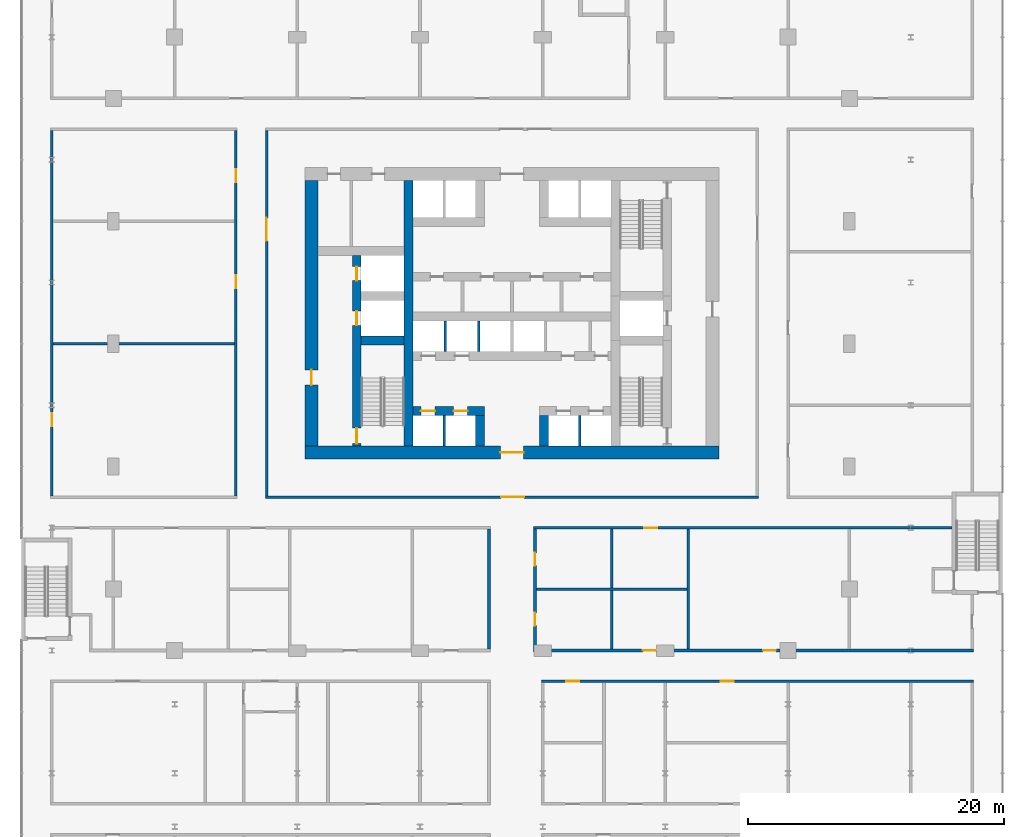
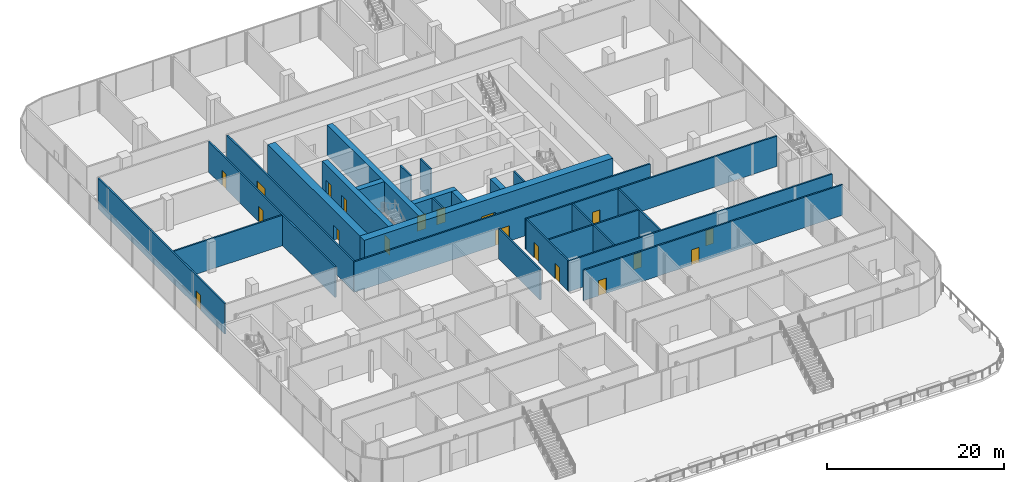
# One storey, part 31 of 43: 26 walls, 19 doors, 19 openings.
"""IFC4 building model written with IfcOpenShell, lengths in metres."""

from ifc_helpers import new_model, si_unit, direction, frame, frame_2d, origin, place, context, subcontext, project, spatial, rectangle, extrude, material, layer, layer_set, type_object, element, fill, save


model = new_model("IFC4")

# Units and contexts
model_context = context("Model", 3, precision=1e-05, world=origin(), true_north=direction((0.0, 1.0)))
body_context = subcontext(model_context, "Body", "Model", "MODEL_VIEW")
ifc_project = project(units=[si_unit("LENGTHUNIT", "METRE"), si_unit("AREAUNIT", "SQUARE_METRE"), si_unit("VOLUMEUNIT", "CUBIC_METRE"), si_unit("PLANEANGLEUNIT", "RADIAN"), si_unit("MASSUNIT", "GRAM", prefix="KILO")], contexts=[model_context])

# Site, building, storey
site_placement = place(None, origin())
site = spatial("IfcSite", under=ifc_project, at=site_placement, CompositionType="ELEMENT")
building_placement = place(site_placement, origin())
building = spatial("IfcBuilding", under=site, at=building_placement, Name="Madar Terraces", CompositionType="ELEMENT")
storey_placement = place(building_placement, frame((0.0, 0.0, 10.5)))
storey = spatial("IfcBuildingStorey", under=building, at=storey_placement, Name="L02", CompositionType="ELEMENT", Elevation=10.5)

# Wall, openings, doors
ifc_material_1 = material(Name="Concrete C80/95", Category="concrete")
ifc_layer_1 = layer(ifc_material_1, 0.699951171875)
ifc_layer_set_1 = layer_set([ifc_layer_1], Name="Concrete C80/95 (CIW1 RC wall 700)")
wall_type_1 = type_object("IfcWallType", Name="CIW1 RC wall 700", PredefinedType="SHEAR", material=ifc_layer_set_1)
wall_1_placement = place(storey_placement, frame((19.050048828125, 16.0, 0.0), z_axis=(0.0, 0.0, 1.0), x_axis=(0.0, 1.0, 0.0)))
wall_1 = element("IfcWall", 1, at=wall_1_placement, inside=storey, type_object=wall_type_1, Name="CORE SHAFT WALL", PredefinedType="SHEAR", context=body_context, shape_type="SweptSolid", body=[
    extrude(rectangle(XDim=14.89990234375, YDim=0.699951171875, at=frame_2d((7.449951171875, 0.0))), origin(), (0.0, 0.0, 1.0), 4.199951171875),
])
opening_1_placement = place(wall_1_placement, frame((9.449951171875, 0.0, 0.0)))
opening_1 = element("IfcOpeningElement", 2, at=opening_1_placement, cuts=wall_1, Name="Opening LD", PredefinedType="OPENING", context=body_context, shape_type="SweptSolid", body=[
    extrude(rectangle(XDim=1.10009765625, YDim=2.10009765625, at=frame_2d((0.550048828125, 1.050048828125))), frame((0.0, 0.35986328125, 0.0), z_axis=(0.0, -1.0, 0.0), x_axis=(1.0, 0.0, 0.0)), (0.0, 0.0, 1.0), 0.719970703125),
])
opening_2_placement = place(wall_1_placement, frame((12.949951171875, 0.0, 0.0)))
opening_2 = element("IfcOpeningElement", 3, at=opening_2_placement, cuts=wall_1, Name="Opening LD", PredefinedType="OPENING", context=body_context, shape_type="SweptSolid", body=[
    extrude(rectangle(XDim=1.10009765625, YDim=2.10009765625, at=frame_2d((0.550048828125, 1.050048828125))), frame((0.0, 0.35986328125, 0.0), z_axis=(0.0, -1.0, 0.0), x_axis=(1.0, 0.0, 0.0)), (0.0, 0.0, 1.0), 0.719970703125),
])
opening_3_placement = place(wall_1_placement, frame((0.199951171875, 0.0, 0.0)))
opening_3 = element("IfcOpeningElement", 4, at=opening_3_placement, cuts=wall_1, Name="Opening SD1", PredefinedType="OPENING", context=body_context, shape_type="SweptSolid", body=[
    extrude(rectangle(XDim=1.199951171875, YDim=2.10009765625, at=frame_2d((0.60009765625, 1.050048828125))), frame((0.0, 0.35986328125, 0.0), z_axis=(0.0, -1.0, 0.0), x_axis=(1.0, 0.0, 0.0)), (0.0, 0.0, 1.0), 0.719970703125),
])
ifc_material_2 = material(Name="Stainless steel panel", Category="steel")
door_type_1 = type_object("IfcDoorType", Name="Lift landing door 1100 x 2100", OperationType="DOUBLE_DOOR_SLIDING", PredefinedType="DOOR", material=ifc_material_2)
door_1_placement = place(opening_1_placement, origin())
door_1 = element("IfcDoor", 5, at=door_1_placement, inside=storey, type_object=door_type_1, Name="LIFT LANDING DOOR", OperationType="DOUBLE_DOOR_SLIDING", OverallHeight=2.10009765625, OverallWidth=1.10009765625, PredefinedType="DOOR", context=body_context, shape_type="SweptSolid", body=[
    extrude(rectangle(XDim=1.10009765625, YDim=2.10009765625, at=frame_2d((0.550048828125, 1.050048828125))), frame((0.0, 0.02490234375, 0.0), z_axis=(0.0, -1.0, 0.0), x_axis=(1.0, 0.0, 0.0)), (0.0, 0.0, 1.0), 0.050048828125),
])
fill(opening_1, door_1)
door_2_placement = place(opening_2_placement, origin())
door_2 = element("IfcDoor", 6, at=door_2_placement, inside=storey, type_object=door_type_1, Name="LIFT LANDING DOOR", OperationType="DOUBLE_DOOR_SLIDING", OverallHeight=2.10009765625, OverallWidth=1.10009765625, PredefinedType="DOOR", context=body_context, shape_type="SweptSolid", body=[
    extrude(rectangle(XDim=1.10009765625, YDim=2.10009765625, at=frame_2d((0.550048828125, 1.050048828125))), frame((0.0, 0.02490234375, 0.0), z_axis=(0.0, -1.0, 0.0), x_axis=(1.0, 0.0, 0.0)), (0.0, 0.0, 1.0), 0.050048828125),
])
fill(opening_2, door_2)
ifc_material_3 = material(Name="Steel door leaf", Category="steel")
door_type_2 = type_object("IfcDoorType", Name="Stair door 1200 x 2100", OperationType="NOTDEFINED", PredefinedType="DOOR", material=ifc_material_3)
door_3_placement = place(opening_3_placement, frame((1.199951171875, 0.0, 0.0), z_axis=(0.0, 0.0, 1.0), x_axis=(-1.0, 0.0, 0.0)))
door_3 = element("IfcDoor", 7, at=door_3_placement, inside=storey, type_object=door_type_2, Name="STAIR DOOR", OperationType="SINGLE_SWING_RIGHT", OverallHeight=2.10009765625, OverallWidth=1.199951171875, PredefinedType="DOOR", context=body_context, shape_type="SweptSolid", body=[
    extrude(rectangle(XDim=1.199951171875, YDim=2.10009765625, at=frame_2d((0.60009765625, 1.050048828125))), frame((0.0, 0.02490234375, 0.0), z_axis=(0.0, -1.0, 0.0), x_axis=(1.0, 0.0, 0.0)), (0.0, 0.0, 1.0), 0.050048828125),
])
fill(opening_3, door_3)

# Walls
wall_2_placement = place(storey_placement, frame((23.10009765625, 16.0, 0.0), z_axis=(0.0, 0.0, 1.0), x_axis=(0.0, 1.0, 0.0)))
element("IfcWall", 8, at=wall_2_placement, inside=storey, type_object=wall_type_1, Name="CORE SHAFT WALL", PredefinedType="SHEAR", context=body_context, shape_type="SweptSolid", body=[
    extrude(rectangle(XDim=20.800048828125, YDim=0.699951171875, at=frame_2d((10.39990234375, 0.0))), origin(), (0.0, 0.0, 1.0), 4.199951171875),
])
wall_3_placement = place(storey_placement, frame((19.39990234375, 24.25, 0.0), z_axis=(0.0, 0.0, 1.0), x_axis=(1.0, 0.0, 0.0)))
element("IfcWall", 9, at=wall_3_placement, inside=storey, type_object=wall_type_1, Name="CORE SHAFT WALL", PredefinedType="SHEAR", context=body_context, shape_type="SweptSolid", body=[
    extrude(rectangle(XDim=3.35009765625, YDim=0.699951171875, at=frame_2d((1.675048828125, 0.0))), origin(), (0.0, 0.0, 1.0), 4.199951171875),
])

# Wall, openings, doors
wall_4_placement = place(storey_placement, frame((23.449951171875, 18.75, 0.0), z_axis=(0.0, 0.0, 1.0), x_axis=(1.0, 0.0, 0.0)))
wall_4 = element("IfcWall", 10, at=wall_4_placement, inside=storey, type_object=wall_type_1, Name="CORE SHAFT WALL", PredefinedType="SHEAR", context=body_context, shape_type="SweptSolid", body=[
    extrude(rectangle(XDim=5.60009765625, YDim=0.699951171875, at=frame_2d((2.800048828125, 0.0))), origin(), (0.0, 0.0, 1.0), 4.199951171875),
])
opening_4_placement = place(wall_4_placement, frame((0.625, 0.0, 0.0)))
opening_4 = element("IfcOpeningElement", 11, at=opening_4_placement, cuts=wall_4, Name="Opening LD", PredefinedType="OPENING", context=body_context, shape_type="SweptSolid", body=[
    extrude(rectangle(XDim=1.10009765625, YDim=2.10009765625, at=frame_2d((0.550048828125, 1.050048828125))), frame((0.0, 0.35986328125, 0.0), z_axis=(0.0, -1.0, 0.0), x_axis=(1.0, 0.0, 0.0)), (0.0, 0.0, 1.0), 0.719970703125),
])
opening_5_placement = place(wall_4_placement, frame((3.175048828125, 0.0, 0.0)))
opening_5 = element("IfcOpeningElement", 12, at=opening_5_placement, cuts=wall_4, Name="Opening LD", PredefinedType="OPENING", context=body_context, shape_type="SweptSolid", body=[
    extrude(rectangle(XDim=1.10009765625, YDim=2.10009765625, at=frame_2d((0.550048828125, 1.050048828125))), frame((0.0, 0.35986328125, 0.0), z_axis=(0.0, -1.0, 0.0), x_axis=(1.0, 0.0, 0.0)), (0.0, 0.0, 1.0), 0.719970703125),
])
door_4_placement = place(opening_4_placement, origin())
door_4 = element("IfcDoor", 13, at=door_4_placement, inside=storey, type_object=door_type_1, Name="LIFT LANDING DOOR", OperationType="DOUBLE_DOOR_SLIDING", OverallHeight=2.10009765625, OverallWidth=1.10009765625, PredefinedType="DOOR", context=body_context, shape_type="SweptSolid", body=[
    extrude(rectangle(XDim=1.10009765625, YDim=2.10009765625, at=frame_2d((0.550048828125, 1.050048828125))), frame((0.0, 0.02490234375, 0.0), z_axis=(0.0, -1.0, 0.0), x_axis=(1.0, 0.0, 0.0)), (0.0, 0.0, 1.0), 0.050048828125),
])
fill(opening_4, door_4)
door_5_placement = place(opening_5_placement, origin())
door_5 = element("IfcDoor", 14, at=door_5_placement, inside=storey, type_object=door_type_1, Name="LIFT LANDING DOOR", OperationType="DOUBLE_DOOR_SLIDING", OverallHeight=2.10009765625, OverallWidth=1.10009765625, PredefinedType="DOOR", context=body_context, shape_type="SweptSolid", body=[
    extrude(rectangle(XDim=1.10009765625, YDim=2.10009765625, at=frame_2d((0.550048828125, 1.050048828125))), frame((0.0, 0.02490234375, 0.0), z_axis=(0.0, -1.0, 0.0), x_axis=(1.0, 0.0, 0.0)), (0.0, 0.0, 1.0), 0.050048828125),
])
fill(opening_5, door_5)

# Walls
for number, where, z_axis, x_axis, name in (
    (15, (28.699951171875, 16.0, 0.0), (0.0, 0.0, 1.0), (0.0, 1.0, 0.0), "CORE SHAFT WALL"),
    (16, (33.699951171875, 16.0, 0.0), (0.0, 0.0, 1.0), (0.0, 1.0, 0.0), "CORE SHAFT WALL"),
):
    element("IfcWall", number, at=place(storey_placement, frame(where, z_axis=z_axis, x_axis=x_axis)), inside=storey, type_object=wall_type_1, Name=name, PredefinedType="SHEAR", context=body_context, shape_type="SweptSolid", body=[
        extrude(rectangle(XDim=2.39990234375, YDim=0.699951171875, at=frame_2d((1.199951171875, 0.0))), origin(), (0.0, 0.0, 1.0), 4.199951171875),
    ])

# Wall, opening, door
ifc_material_4 = material(Name="Concrete C80/95", Category="concrete")
ifc_layer_2 = layer(ifc_material_4, 1.0)
ifc_layer_set_2 = layer_set([ifc_layer_2], Name="Concrete C80/95 (CRW1 RC wall 1000)")
wall_type_2 = type_object("IfcWallType", Name="CRW1 RC wall 1000", PredefinedType="SHEAR", material=ifc_layer_set_2)
wall_5_placement = place(storey_placement, frame((15.0, 15.5, 0.0), z_axis=(0.0, 0.0, 1.0), x_axis=(1.0, 0.0, 0.0)))
wall_5 = element("IfcWall", 17, at=wall_5_placement, inside=storey, type_object=wall_type_2, Name="CORE OUTER WALL", PredefinedType="SHEAR", context=body_context, shape_type="SweptSolid", body=[
    extrude(rectangle(XDim=32.39990234375, YDim=1.0, at=frame_2d((16.199951171875, 0.0))), origin(), (0.0, 0.0, 1.0), 4.199951171875),
])
opening_6_placement = place(wall_5_placement, frame((15.300048828125, 0.0, 0.0)))
opening_6 = element("IfcOpeningElement", 18, at=opening_6_placement, cuts=wall_5, Name="Opening KD1", PredefinedType="OPENING", context=body_context, shape_type="SweptSolid", body=[
    extrude(rectangle(XDim=1.800048828125, YDim=2.10009765625, at=frame_2d((0.89990234375, 1.050048828125))), frame((0.0, 0.510009765625, 0.0), z_axis=(0.0, -1.0, 0.0), x_axis=(1.0, 0.0, 0.0)), (0.0, 0.0, 1.0), 1.02001953125),
])
ifc_material_5 = material(Name="Steel door leaf", Category="steel")
door_type_3 = type_object("IfcDoorType", Name="Lobby door pair 1800 x 2100", OperationType="DOUBLE_DOOR_SINGLE_SWING", PredefinedType="DOOR", material=ifc_material_5)
door_6_placement = place(opening_6_placement, frame((1.800048828125, 0.0, 0.0), z_axis=(0.0, 0.0, 1.0), x_axis=(-1.0, 0.0, 0.0)))
door_6 = element("IfcDoor", 19, at=door_6_placement, inside=storey, type_object=door_type_3, Name="LIFT LOBBY DOOR", OperationType="DOUBLE_DOOR_SINGLE_SWING", OverallHeight=2.10009765625, OverallWidth=1.800048828125, PredefinedType="DOOR", context=body_context, shape_type="SweptSolid", body=[
    extrude(rectangle(XDim=1.800048828125, YDim=2.10009765625, at=frame_2d((0.89990234375, 1.050048828125))), frame((0.0, 0.02490234375, 0.0), z_axis=(0.0, -1.0, 0.0), x_axis=(1.0, 0.0, 0.0)), (0.0, 0.0, 1.0), 0.050048828125),
])
fill(opening_6, door_6)

wall_6_placement = place(storey_placement, frame((15.5, 16.0, 0.0), z_axis=(0.0, 0.0, 1.0), x_axis=(0.0, 1.0, 0.0)))
wall_6 = element("IfcWall", 20, at=wall_6_placement, inside=storey, type_object=wall_type_2, Name="CORE OUTER WALL", PredefinedType="SHEAR", context=body_context, shape_type="SweptSolid", body=[
    extrude(rectangle(XDim=20.800048828125, YDim=1.0, at=frame_2d((10.39990234375, 0.0))), origin(), (0.0, 0.0, 1.0), 4.199951171875),
])
opening_7_placement = place(wall_6_placement, frame((4.760009765625, 0.0, 0.0)))
opening_7 = element("IfcOpeningElement", 21, at=opening_7_placement, cuts=wall_6, Name="Opening SD1", PredefinedType="OPENING", context=body_context, shape_type="SweptSolid", body=[
    extrude(rectangle(XDim=1.199951171875, YDim=2.10009765625, at=frame_2d((0.60009765625, 1.050048828125))), frame((0.0, 0.510009765625, 0.0), z_axis=(0.0, -1.0, 0.0), x_axis=(1.0, 0.0, 0.0)), (0.0, 0.0, 1.0), 1.02001953125),
])
door_7_placement = place(opening_7_placement, frame((1.199951171875, 0.0, 0.0), z_axis=(0.0, 0.0, 1.0), x_axis=(-1.0, 0.0, 0.0)))
door_7 = element("IfcDoor", 22, at=door_7_placement, inside=storey, type_object=door_type_2, Name="STAIR DOOR", OperationType="SINGLE_SWING_LEFT", OverallHeight=2.10009765625, OverallWidth=1.199951171875, PredefinedType="DOOR", context=body_context, shape_type="SweptSolid", body=[
    extrude(rectangle(XDim=1.199951171875, YDim=2.10009765625, at=frame_2d((0.60009765625, 1.050048828125))), frame((0.0, 0.02490234375, 0.0), z_axis=(0.0, -1.0, 0.0), x_axis=(1.0, 0.0, 0.0)), (0.0, 0.0, 1.0), 0.050048828125),
])
fill(opening_7, door_7)

# Walls
ifc_material_6 = material(Name="Concrete C40/50", Category="concrete")
ifc_layer_3 = layer(ifc_material_6, 0.199951171875)
ifc_layer_set_3 = layer_set([ifc_layer_3], Name="Core shaft dividing wall 200 C40/50")
wall_type_3 = type_object("IfcWallType", Name="Core shaft dividing wall 200 C40/50", PredefinedType="SOLIDWALL", material=ifc_layer_set_3)
for number, where, z_axis, x_axis, name in (
    (23, (25.966552734375, 23.39990234375, 0.0), (0.0, 0.0, 1.0), (0.0, 1.0, 0.0), "SHAFT DIVIDING WALL"),
    (24, (28.583251953125, 23.39990234375, 0.0), (0.0, 0.0, 1.0), (0.0, 1.0, 0.0), "SHAFT DIVIDING WALL"),
):
    element("IfcWall", number, at=place(storey_placement, frame(where, z_axis=z_axis, x_axis=x_axis)), inside=storey, type_object=wall_type_3, Name=name, PredefinedType="SOLIDWALL", context=body_context, shape_type="SweptSolid", body=[
        extrude(rectangle(XDim=2.400146484375, YDim=0.199951171875, at=frame_2d((1.2001953125, 0.0))), origin(), (0.0, 0.0, 1.0), 4.199951171875),
    ])
for number, where, z_axis, x_axis, name in (
    (25, (25.89990234375, 16.0, 0.0), (0.0, 0.0, 1.0), (0.0, 1.0, 0.0), "SHAFT DIVIDING WALL"),
    (26, (36.5, 16.0, 0.0), (0.0, 0.0, 1.0), (0.0, 1.0, 0.0), "SHAFT DIVIDING WALL"),
):
    element("IfcWall", number, at=place(storey_placement, frame(where, z_axis=z_axis, x_axis=x_axis)), inside=storey, type_object=wall_type_3, Name=name, PredefinedType="SOLIDWALL", context=body_context, shape_type="SweptSolid", body=[
        extrude(rectangle(XDim=2.39990234375, YDim=0.199951171875, at=frame_2d((1.199951171875, 0.0))), origin(), (0.0, 0.0, 1.0), 4.199951171875),
    ])

# Wall, openings, doors
ifc_material_7 = material(Name="Gypsum board partition, fire-rated")
ifc_layer_4 = layer(ifc_material_7, 0.199951171875)
ifc_layer_set_4 = layer_set([ifc_layer_4], Name="Partition 200 EI 60")
wall_type_4 = type_object("IfcWallType", Name="Partition 200 EI 60", PredefinedType="PARTITIONING", material=ifc_layer_set_4)
wall_7_placement = place(storey_placement, frame((67.300048828125, -2.39990234375, 0.0), z_axis=(0.0, 0.0, 1.0), x_axis=(-1.0, 0.0, 0.0)))
wall_7 = element("IfcWall", 27, at=wall_7_placement, inside=storey, type_object=wall_type_4, Name="Wall CLEAN UTILITY + CONSULTING ROOM", PredefinedType="PARTITIONING", context=body_context, shape_type="SweptSolid", body=[
    extrude(rectangle(XDim=33.800048828125, YDim=0.199951171875, at=frame_2d((16.89990234375, 0.0))), origin(), (0.0, 0.0, 1.0), 4.199951171875),
])
opening_8_placement = place(wall_7_placement, frame((30.85009765625, 0.0, 0.0)))
opening_8 = element("IfcOpeningElement", 28, at=opening_8_placement, cuts=wall_7, Name="Opening D31", PredefinedType="OPENING", context=body_context, shape_type="SweptSolid", body=[
    extrude(rectangle(XDim=1.0, YDim=2.10009765625, at=frame_2d((0.5, 1.050048828125))), frame((0.0, 0.10986328125, 0.0), z_axis=(0.0, -1.0, 0.0), x_axis=(1.0, 0.0, 0.0)), (0.0, 0.0, 1.0), 0.219970703125),
])
opening_9_placement = place(wall_7_placement, frame((18.75, 0.0, 0.0)))
opening_9 = element("IfcOpeningElement", 29, at=opening_9_placement, cuts=wall_7, Name="Opening D31", PredefinedType="OPENING", context=body_context, shape_type="SweptSolid", body=[
    extrude(rectangle(XDim=1.0, YDim=2.10009765625, at=frame_2d((0.5, 1.050048828125))), frame((0.0, 0.10986328125, 0.0), z_axis=(0.0, -1.0, 0.0), x_axis=(1.0, 0.0, 0.0)), (0.0, 0.0, 1.0), 0.219970703125),
])
ifc_material_8 = material(Name="Timber door leaf, fire-rated", Category="wood")
door_type_4 = type_object("IfcDoorType", Name="Podium door 1000 x 2100 FD30S", OperationType="NOTDEFINED", PredefinedType="DOOR", material=ifc_material_8)
door_8_placement = place(opening_8_placement, origin())
door_8 = element("IfcDoor", 30, at=door_8_placement, inside=storey, type_object=door_type_4, Name="Door CLEAN UTILITY / PODIUM CORRIDOR", OperationType="SINGLE_SWING_RIGHT", OverallHeight=2.10009765625, OverallWidth=1.0, PredefinedType="DOOR", context=body_context, shape_type="SweptSolid", body=[
    extrude(rectangle(XDim=1.0, YDim=2.10009765625, at=frame_2d((0.5, 1.050048828125))), frame((0.0, 0.02490234375, 0.0), z_axis=(0.0, -1.0, 0.0), x_axis=(1.0, 0.0, 0.0)), (0.0, 0.0, 1.0), 0.050048828125),
])
fill(opening_8, door_8)
door_9_placement = place(opening_9_placement, origin())
door_9 = element("IfcDoor", 31, at=door_9_placement, inside=storey, type_object=door_type_4, Name="Door CONSULTING ROOM / PODIUM CORRIDOR", OperationType="SINGLE_SWING_LEFT", OverallHeight=2.10009765625, OverallWidth=1.0, PredefinedType="DOOR", context=body_context, shape_type="SweptSolid", body=[
    extrude(rectangle(XDim=1.0, YDim=2.10009765625, at=frame_2d((0.5, 1.050048828125))), frame((0.0, 0.02490234375, 0.0), z_axis=(0.0, -1.0, 0.0), x_axis=(1.0, 0.0, 0.0)), (0.0, 0.0, 1.0), 0.050048828125),
])
fill(opening_9, door_9)

wall_8_placement = place(storey_placement, frame((32.89990234375, 0.0, 0.0), z_axis=(0.0, 0.0, 1.0), x_axis=(1.0, 0.0, 0.0)))
wall_8 = element("IfcWall", 32, at=wall_8_placement, inside=storey, type_object=wall_type_4, Name="Wall CONSULTING ROOM + PHYSIOTHERAPY ROOM", PredefinedType="PARTITIONING", context=body_context, shape_type="SweptSolid", body=[
    extrude(rectangle(XDim=34.400146484375, YDim=0.199951171875, at=frame_2d((17.2001953125, 0.0))), origin(), (0.0, 0.0, 1.0), 4.199951171875),
])
opening_10_placement = place(wall_8_placement, frame((8.550048828125, 0.0, 0.0)))
opening_10 = element("IfcOpeningElement", 33, at=opening_10_placement, cuts=wall_8, Name="Opening D31", PredefinedType="OPENING", context=body_context, shape_type="SweptSolid", body=[
    extrude(rectangle(XDim=1.0, YDim=2.10009765625, at=frame_2d((0.5, 1.050048828125))), frame((0.0, 0.10986328125, 0.0), z_axis=(0.0, -1.0, 0.0), x_axis=(1.0, 0.0, 0.0)), (0.0, 0.0, 1.0), 0.219970703125),
])
opening_11_placement = place(wall_8_placement, frame((17.949951171875, 0.0, 0.0)))
opening_11 = element("IfcOpeningElement", 34, at=opening_11_placement, cuts=wall_8, Name="Opening D31", PredefinedType="OPENING", context=body_context, shape_type="SweptSolid", body=[
    extrude(rectangle(XDim=1.0, YDim=2.10009765625, at=frame_2d((0.5, 1.050048828125))), frame((0.0, 0.10986328125, 0.0), z_axis=(0.0, -1.0, 0.0), x_axis=(1.0, 0.0, 0.0)), (0.0, 0.0, 1.0), 0.219970703125),
])
door_10_placement = place(opening_10_placement, origin())
door_10 = element("IfcDoor", 35, at=door_10_placement, inside=storey, type_object=door_type_4, Name="Door THERAPY ROOM / PODIUM CORRIDOR", OperationType="SINGLE_SWING_LEFT", OverallHeight=2.10009765625, OverallWidth=1.0, PredefinedType="DOOR", context=body_context, shape_type="SweptSolid", body=[
    extrude(rectangle(XDim=1.0, YDim=2.10009765625, at=frame_2d((0.5, 1.050048828125))), frame((0.0, 0.02490234375, 0.0), z_axis=(0.0, -1.0, 0.0), x_axis=(1.0, 0.0, 0.0)), (0.0, 0.0, 1.0), 0.050048828125),
])
fill(opening_10, door_10)
door_11_placement = place(opening_11_placement, origin())
door_11 = element("IfcDoor", 36, at=door_11_placement, inside=storey, type_object=door_type_4, Name="Door TREATMENT ROOM / PODIUM CORRIDOR", OperationType="SINGLE_SWING_RIGHT", OverallHeight=2.10009765625, OverallWidth=1.0, PredefinedType="DOOR", context=body_context, shape_type="SweptSolid", body=[
    extrude(rectangle(XDim=1.0, YDim=2.10009765625, at=frame_2d((0.5, 1.050048828125))), frame((0.0, 0.02490234375, 0.0), z_axis=(0.0, -1.0, 0.0), x_axis=(1.0, 0.0, 0.0)), (0.0, 0.0, 1.0), 0.050048828125),
])
fill(opening_11, door_11)

# Wall
wall_9_placement = place(storey_placement, frame((33.10009765625, 4.800048828125, 0.0), z_axis=(0.0, 0.0, 1.0), x_axis=(1.0, 0.0, 0.0)))
element("IfcWall", 37, at=wall_9_placement, inside=storey, type_object=wall_type_4, Name="Wall CONSULTING ROOM + THERAPY ROOM", PredefinedType="PARTITIONING", context=body_context, shape_type="SweptSolid", body=[
    extrude(rectangle(XDim=11.7998046875, YDim=0.199951171875, at=frame_2d((5.89990234375, 0.0))), origin(), (0.0, 0.0, 1.0), 4.199951171875),
])

# Wall, opening, door
wall_10_placement = place(storey_placement, frame((65.64990234375, 9.60009765625, 0.0), z_axis=(0.0, 0.0, 1.0), x_axis=(-1.0, 0.0, 0.0)))
wall_10 = element("IfcWall", 38, at=wall_10_placement, inside=storey, type_object=wall_type_4, Name="Wall CONSULTING ROOM + PHYSIOTHERAPY ROOM", PredefinedType="PARTITIONING", context=body_context, shape_type="SweptSolid", body=[
    extrude(rectangle(XDim=32.75, YDim=0.199951171875, at=frame_2d((16.375, 0.0))), origin(), (0.0, 0.0, 1.0), 4.199951171875),
])
opening_12_placement = place(wall_10_placement, frame((23.10009765625, 0.0, 0.0)))
opening_12 = element("IfcOpeningElement", 39, at=opening_12_placement, cuts=wall_10, Name="Opening D31", PredefinedType="OPENING", context=body_context, shape_type="SweptSolid", body=[
    extrude(rectangle(XDim=1.0, YDim=2.10009765625, at=frame_2d((0.5, 1.050048828125))), frame((0.0, 0.10986328125, 0.0), z_axis=(0.0, -1.0, 0.0), x_axis=(1.0, 0.0, 0.0)), (0.0, 0.0, 1.0), 0.219970703125),
])
door_12_placement = place(opening_12_placement, origin())
door_12 = element("IfcDoor", 40, at=door_12_placement, inside=storey, type_object=door_type_4, Name="Door THERAPY ROOM / PODIUM CORRIDOR", OperationType="SINGLE_SWING_LEFT", OverallHeight=2.10009765625, OverallWidth=1.0, PredefinedType="DOOR", context=body_context, shape_type="SweptSolid", body=[
    extrude(rectangle(XDim=1.0, YDim=2.10009765625, at=frame_2d((0.5, 1.050048828125))), frame((0.0, 0.02490234375, 0.0), z_axis=(0.0, -1.0, 0.0), x_axis=(1.0, 0.0, 0.0)), (0.0, 0.0, 1.0), 0.050048828125),
])
fill(opening_12, door_12)

wall_11_placement = place(storey_placement, frame((11.89990234375, 12.0, 0.0), z_axis=(0.0, 0.0, 1.0), x_axis=(1.0, 0.0, 0.0)))
wall_11 = element("IfcWall", 41, at=wall_11_placement, inside=storey, type_object=wall_type_4, Name="Wall PODIUM CORRIDOR / RING CORRIDOR", PredefinedType="PARTITIONING", context=body_context, shape_type="SweptSolid", body=[
    extrude(rectangle(XDim=38.60009765625, YDim=0.199951171875, at=frame_2d((19.300048828125, 0.0))), origin(), (0.0, 0.0, 1.0), 4.199951171875),
])
opening_13_placement = place(wall_11_placement, frame((18.449951171875, 0.0, 0.0)))
opening_13 = element("IfcOpeningElement", 42, at=opening_13_placement, cuts=wall_11, Name="Opening D30", PredefinedType="OPENING", context=body_context, shape_type="SweptSolid", body=[
    extrude(rectangle(XDim=1.800048828125, YDim=2.10009765625, at=frame_2d((0.89990234375, 1.050048828125))), frame((0.0, 0.10986328125, 0.0), z_axis=(0.0, -1.0, 0.0), x_axis=(1.0, 0.0, 0.0)), (0.0, 0.0, 1.0), 0.219970703125),
])
ifc_material_9 = material(Name="Timber door leaf, fire-rated", Category="wood")
door_type_5 = type_object("IfcDoorType", Name="Podium double door 1800 x 2100 FD30S", OperationType="DOUBLE_DOOR_SINGLE_SWING", PredefinedType="DOOR", material=ifc_material_9)
door_13_placement = place(opening_13_placement, origin())
door_13 = element("IfcDoor", 43, at=door_13_placement, inside=storey, type_object=door_type_5, Name="Door PODIUM CORRIDOR / RING CORRIDOR", OperationType="DOUBLE_DOOR_SINGLE_SWING", OverallHeight=2.10009765625, OverallWidth=1.800048828125, PredefinedType="DOOR", context=body_context, shape_type="SweptSolid", body=[
    extrude(rectangle(XDim=1.800048828125, YDim=2.10009765625, at=frame_2d((0.89990234375, 1.050048828125))), frame((0.0, 0.02490234375, 0.0), z_axis=(0.0, -1.0, 0.0), x_axis=(1.0, 0.0, 0.0)), (0.0, 0.0, 1.0), 0.050048828125),
])
fill(opening_13, door_13)

# Wall
wall_12_placement = place(storey_placement, frame((-4.699951171875, 24.0, 0.0), z_axis=(0.0, 0.0, 1.0), x_axis=(1.0, 0.0, 0.0)))
element("IfcWall", 44, at=wall_12_placement, inside=storey, type_object=wall_type_4, Name="Wall STAFF ROOM / TREATMENT ROOM", PredefinedType="PARTITIONING", context=body_context, shape_type="SweptSolid", body=[
    extrude(rectangle(XDim=14.199951171875, YDim=0.199951171875, at=frame_2d((7.10009765625, 0.0))), origin(), (0.0, 0.0, 1.0), 4.199951171875),
])

# Wall, opening, door
wall_13_placement = place(storey_placement, frame((-4.800048828125, 40.699951171875, 0.0), z_axis=(0.0, 0.0, 1.0), x_axis=(0.0, -1.0, 0.0)))
wall_13 = element("IfcWall", 45, at=wall_13_placement, inside=storey, type_object=wall_type_4, Name="Wall CONSULTING ROOM + STAFF ROOM", PredefinedType="PARTITIONING", context=body_context, shape_type="SweptSolid", body=[
    extrude(rectangle(XDim=28.599853515625, YDim=0.199951171875, at=frame_2d((14.2998046875, 0.0))), origin(), (0.0, 0.0, 1.0), 4.199951171875),
])
opening_14_placement = place(wall_13_placement, frame((22.14990234375, 0.0, 0.0)))
opening_14 = element("IfcOpeningElement", 46, at=opening_14_placement, cuts=wall_13, Name="Opening D31", PredefinedType="OPENING", context=body_context, shape_type="SweptSolid", body=[
    extrude(rectangle(XDim=1.0, YDim=2.10009765625, at=frame_2d((0.5, 1.050048828125))), frame((0.0, 0.10986328125, 0.0), z_axis=(0.0, -1.0, 0.0), x_axis=(1.0, 0.0, 0.0)), (0.0, 0.0, 1.0), 0.219970703125),
])
door_14_placement = place(opening_14_placement, origin())
door_14 = element("IfcDoor", 47, at=door_14_placement, inside=storey, type_object=door_type_4, Name="Door STAFF ROOM / PODIUM CORRIDOR", OperationType="SINGLE_SWING_LEFT", OverallHeight=2.10009765625, OverallWidth=1.0, PredefinedType="DOOR", context=body_context, shape_type="SweptSolid", body=[
    extrude(rectangle(XDim=1.0, YDim=2.10009765625, at=frame_2d((0.5, 1.050048828125))), frame((0.0, 0.02490234375, 0.0), z_axis=(0.0, -1.0, 0.0), x_axis=(1.0, 0.0, 0.0)), (0.0, 0.0, 1.0), 0.050048828125),
])
fill(opening_14, door_14)

# Wall, openings, doors
wall_14_placement = place(storey_placement, frame((9.60009765625, 12.10009765625, 0.0), z_axis=(0.0, 0.0, 1.0), x_axis=(0.0, 1.0, 0.0)))
wall_14 = element("IfcWall", 48, at=wall_14_placement, inside=storey, type_object=wall_type_4, Name="Wall CONSULTING ROOM + STAFF ROOM", PredefinedType="PARTITIONING", context=body_context, shape_type="SweptSolid", body=[
    extrude(rectangle(XDim=28.599853515625, YDim=0.199951171875, at=frame_2d((14.2998046875, 0.0))), origin(), (0.0, 0.0, 1.0), 4.199951171875),
])
opening_15_placement = place(wall_14_placement, frame((16.25, 0.0, 0.0)))
opening_15 = element("IfcOpeningElement", 49, at=opening_15_placement, cuts=wall_14, Name="Opening D31", PredefinedType="OPENING", context=body_context, shape_type="SweptSolid", body=[
    extrude(rectangle(XDim=1.0, YDim=2.10009765625, at=frame_2d((0.5, 1.050048828125))), frame((0.0, 0.10986328125, 0.0), z_axis=(0.0, -1.0, 0.0), x_axis=(1.0, 0.0, 0.0)), (0.0, 0.0, 1.0), 0.219970703125),
])
opening_16_placement = place(wall_14_placement, frame((24.550048828125, 0.0, 0.0)))
opening_16 = element("IfcOpeningElement", 50, at=opening_16_placement, cuts=wall_14, Name="Opening D31", PredefinedType="OPENING", context=body_context, shape_type="SweptSolid", body=[
    extrude(rectangle(XDim=1.0, YDim=2.10009765625, at=frame_2d((0.5, 1.050048828125))), frame((0.0, 0.10986328125, 0.0), z_axis=(0.0, -1.0, 0.0), x_axis=(1.0, 0.0, 0.0)), (0.0, 0.0, 1.0), 0.219970703125),
])
door_15_placement = place(opening_15_placement, origin())
door_15 = element("IfcDoor", 51, at=door_15_placement, inside=storey, type_object=door_type_4, Name="Door TREATMENT ROOM / PODIUM CORRIDOR", OperationType="SINGLE_SWING_RIGHT", OverallHeight=2.10009765625, OverallWidth=1.0, PredefinedType="DOOR", context=body_context, shape_type="SweptSolid", body=[
    extrude(rectangle(XDim=1.0, YDim=2.10009765625, at=frame_2d((0.5, 1.050048828125))), frame((0.0, 0.02490234375, 0.0), z_axis=(0.0, -1.0, 0.0), x_axis=(1.0, 0.0, 0.0)), (0.0, 0.0, 1.0), 0.050048828125),
])
fill(opening_15, door_15)
door_16_placement = place(opening_16_placement, origin())
door_16 = element("IfcDoor", 52, at=door_16_placement, inside=storey, type_object=door_type_4, Name="Door CONSULTING ROOM / PODIUM CORRIDOR", OperationType="SINGLE_SWING_RIGHT", OverallHeight=2.10009765625, OverallWidth=1.0, PredefinedType="DOOR", context=body_context, shape_type="SweptSolid", body=[
    extrude(rectangle(XDim=1.0, YDim=2.10009765625, at=frame_2d((0.5, 1.050048828125))), frame((0.0, 0.02490234375, 0.0), z_axis=(0.0, -1.0, 0.0), x_axis=(1.0, 0.0, 0.0)), (0.0, 0.0, 1.0), 0.050048828125),
])
fill(opening_16, door_16)

# Wall, opening, door
wall_15_placement = place(storey_placement, frame((12.0, 40.699951171875, 0.0), z_axis=(0.0, 0.0, 1.0), x_axis=(0.0, -1.0, 0.0)))
wall_15 = element("IfcWall", 53, at=wall_15_placement, inside=storey, type_object=wall_type_4, Name="Wall PODIUM CORRIDOR / RING CORRIDOR", PredefinedType="PARTITIONING", context=body_context, shape_type="SweptSolid", body=[
    extrude(rectangle(XDim=28.599853515625, YDim=0.199951171875, at=frame_2d((14.2998046875, 0.0))), origin(), (0.0, 0.0, 1.0), 4.199951171875),
])
opening_17_placement = place(wall_15_placement, frame((6.85009765625, 0.0, 0.0)))
opening_17 = element("IfcOpeningElement", 54, at=opening_17_placement, cuts=wall_15, Name="Opening D30", PredefinedType="OPENING", context=body_context, shape_type="SweptSolid", body=[
    extrude(rectangle(XDim=1.800048828125, YDim=2.10009765625, at=frame_2d((0.89990234375, 1.050048828125))), frame((0.0, 0.10986328125, 0.0), z_axis=(0.0, -1.0, 0.0), x_axis=(1.0, 0.0, 0.0)), (0.0, 0.0, 1.0), 0.219970703125),
])
door_17_placement = place(opening_17_placement, origin())
door_17 = element("IfcDoor", 55, at=door_17_placement, inside=storey, type_object=door_type_5, Name="Door PODIUM CORRIDOR / RING CORRIDOR", OperationType="DOUBLE_DOOR_SINGLE_SWING", OverallHeight=2.10009765625, OverallWidth=1.800048828125, PredefinedType="DOOR", context=body_context, shape_type="SweptSolid", body=[
    extrude(rectangle(XDim=1.800048828125, YDim=2.10009765625, at=frame_2d((0.89990234375, 1.050048828125))), frame((0.0, 0.02490234375, 0.0), z_axis=(0.0, -1.0, 0.0), x_axis=(1.0, 0.0, 0.0)), (0.0, 0.0, 1.0), 0.050048828125),
])
fill(opening_17, door_17)

# Wall
wall_16_placement = place(storey_placement, frame((29.39990234375, 0.10009765625, 0.0), z_axis=(0.0, 0.0, 1.0), x_axis=(0.0, 1.0, 0.0)))
element("IfcWall", 56, at=wall_16_placement, inside=storey, type_object=wall_type_4, Name="Wall NURSES STATION / PODIUM CORRIDOR", PredefinedType="PARTITIONING", context=body_context, shape_type="SweptSolid", body=[
    extrude(rectangle(XDim=9.39990234375, YDim=0.199951171875, at=frame_2d((4.699951171875, 0.0))), origin(), (0.0, 0.0, 1.0), 4.199951171875),
])

# Wall, openings, doors
wall_17_placement = place(storey_placement, frame((33.0, 9.5, 0.0), z_axis=(0.0, 0.0, 1.0), x_axis=(0.0, -1.0, 0.0)))
wall_17 = element("IfcWall", 57, at=wall_17_placement, inside=storey, type_object=wall_type_4, Name="Wall CONSULTING ROOM", PredefinedType="PARTITIONING", context=body_context, shape_type="SweptSolid", body=[
    extrude(rectangle(XDim=9.39990234375, YDim=0.199951171875, at=frame_2d((4.699951171875, 0.0))), origin(), (0.0, 0.0, 1.0), 4.199951171875),
])
opening_18_placement = place(wall_17_placement, frame((1.85009765625, 0.0, 0.0)))
opening_18 = element("IfcOpeningElement", 58, at=opening_18_placement, cuts=wall_17, Name="Opening D31", PredefinedType="OPENING", context=body_context, shape_type="SweptSolid", body=[
    extrude(rectangle(XDim=1.0, YDim=2.10009765625, at=frame_2d((0.5, 1.050048828125))), frame((0.0, 0.10986328125, 0.0), z_axis=(0.0, -1.0, 0.0), x_axis=(1.0, 0.0, 0.0)), (0.0, 0.0, 1.0), 0.219970703125),
])
opening_19_placement = place(wall_17_placement, frame((6.550048828125, 0.0, 0.0)))
opening_19 = element("IfcOpeningElement", 59, at=opening_19_placement, cuts=wall_17, Name="Opening D31", PredefinedType="OPENING", context=body_context, shape_type="SweptSolid", body=[
    extrude(rectangle(XDim=1.0, YDim=2.10009765625, at=frame_2d((0.5, 1.050048828125))), frame((0.0, 0.10986328125, 0.0), z_axis=(0.0, -1.0, 0.0), x_axis=(1.0, 0.0, 0.0)), (0.0, 0.0, 1.0), 0.219970703125),
])
door_18_placement = place(opening_18_placement, origin())
door_18 = element("IfcDoor", 60, at=door_18_placement, inside=storey, type_object=door_type_4, Name="Door CONSULTING ROOM / PODIUM CORRIDOR", OperationType="SINGLE_SWING_LEFT", OverallHeight=2.10009765625, OverallWidth=1.0, PredefinedType="DOOR", context=body_context, shape_type="SweptSolid", body=[
    extrude(rectangle(XDim=1.0, YDim=2.10009765625, at=frame_2d((0.5, 1.050048828125))), frame((0.0, 0.02490234375, 0.0), z_axis=(0.0, -1.0, 0.0), x_axis=(1.0, 0.0, 0.0)), (0.0, 0.0, 1.0), 0.050048828125),
])
fill(opening_18, door_18)
door_19_placement = place(opening_19_placement, origin())
door_19 = element("IfcDoor", 61, at=door_19_placement, inside=storey, type_object=door_type_4, Name="Door CONSULTING ROOM / PODIUM CORRIDOR", OperationType="SINGLE_SWING_LEFT", OverallHeight=2.10009765625, OverallWidth=1.0, PredefinedType="DOOR", context=body_context, shape_type="SweptSolid", body=[
    extrude(rectangle(XDim=1.0, YDim=2.10009765625, at=frame_2d((0.5, 1.050048828125))), frame((0.0, 0.02490234375, 0.0), z_axis=(0.0, -1.0, 0.0), x_axis=(1.0, 0.0, 0.0)), (0.0, 0.0, 1.0), 0.050048828125),
])
fill(opening_19, door_19)

# Walls
wall_18_placement = place(storey_placement, frame((39.0, 0.10009765625, 0.0), z_axis=(0.0, 0.0, 1.0), x_axis=(0.0, 1.0, 0.0)))
element("IfcWall", 62, at=wall_18_placement, inside=storey, type_object=wall_type_4, Name="Wall CONSULTING ROOM / THERAPY ROOM", PredefinedType="PARTITIONING", context=body_context, shape_type="SweptSolid", body=[
    extrude(rectangle(XDim=4.599853515625, YDim=0.199951171875, at=frame_2d((2.2998046875, 0.0))), origin(), (0.0, 0.0, 1.0), 4.199951171875),
])
wall_19_placement = place(storey_placement, frame((39.0, 4.89990234375, 0.0), z_axis=(0.0, 0.0, 1.0), x_axis=(0.0, 1.0, 0.0)))
element("IfcWall", 63, at=wall_19_placement, inside=storey, type_object=wall_type_4, Name="Wall CONSULTING ROOM / THERAPY ROOM", PredefinedType="PARTITIONING", context=body_context, shape_type="SweptSolid", body=[
    extrude(rectangle(XDim=4.60009765625, YDim=0.199951171875, at=frame_2d((2.300048828125, 0.0))), origin(), (0.0, 0.0, 1.0), 4.199951171875),
])
wall_20_placement = place(storey_placement, frame((45.0, 0.10009765625, 0.0), z_axis=(0.0, 0.0, 1.0), x_axis=(0.0, 1.0, 0.0)))
element("IfcWall", 64, at=wall_20_placement, inside=storey, type_object=wall_type_4, Name="Wall THERAPY ROOM", PredefinedType="PARTITIONING", context=body_context, shape_type="SweptSolid", body=[
    extrude(rectangle(XDim=9.39990234375, YDim=0.199951171875, at=frame_2d((4.699951171875, 0.0))), origin(), (0.0, 0.0, 1.0), 4.199951171875),
])

save(model, "model.ifc")
